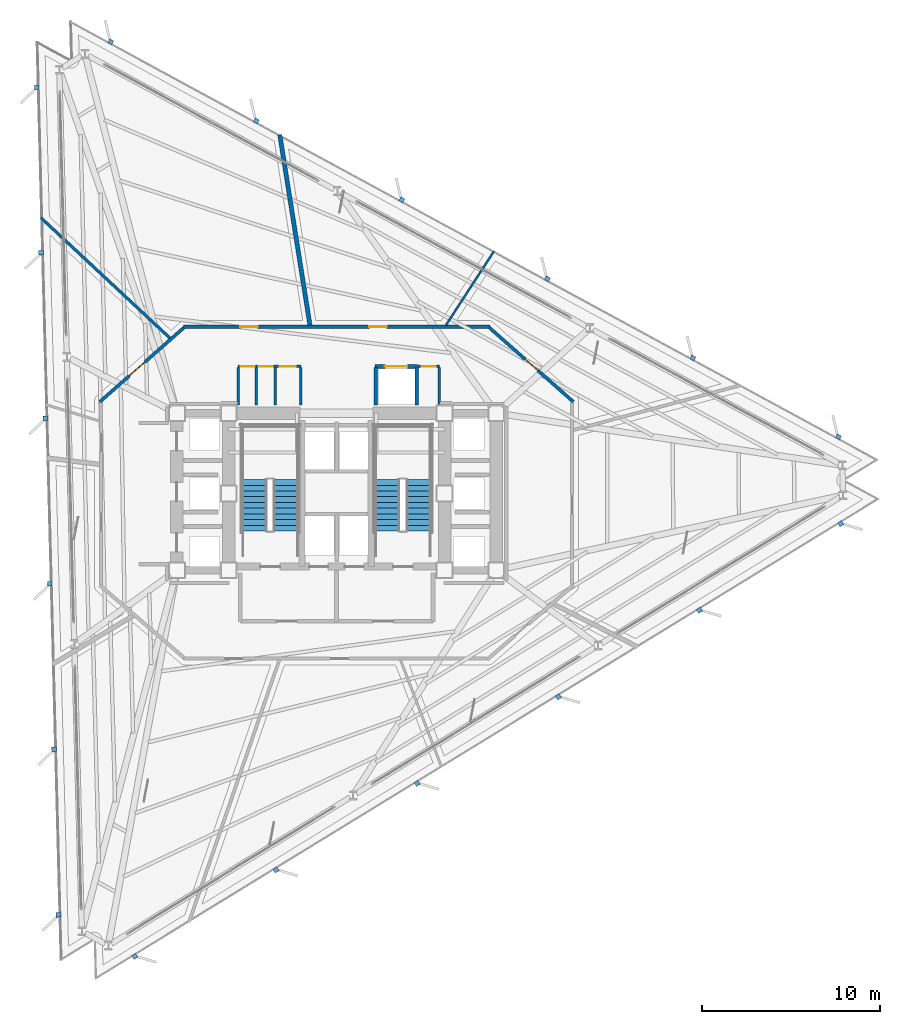
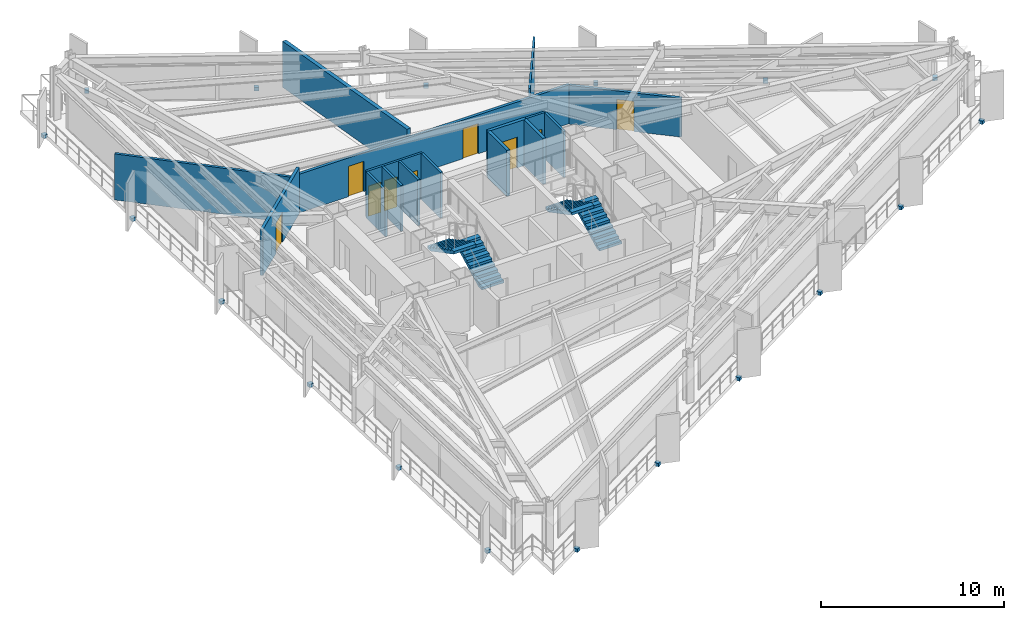
# One storey, part 9 of 14: 18 discrete accessories, 16 walls, 9 doors, 4 stair flights, 9 openings, 2 elements without a shape of their own.
"""IFC4 building model written with IfcOpenShell, lengths in metres."""

from ifc_helpers import new_model, si_unit, direction, frame, frame_2d, origin, origin_2d, place, context, subcontext, project, spatial, polyline, rectangle, outline, extrude, material, layer, layer_set, type_object, element, fill, aggregate, save


model = new_model("IFC4")

# Units and contexts
model_context = context("Model", 3, precision=1e-05, world=origin(), true_north=direction((0.0, 1.0)))
body_context = subcontext(model_context, "Body", "Model", "MODEL_VIEW")
ifc_project = project(units=[si_unit("LENGTHUNIT", "METRE"), si_unit("AREAUNIT", "SQUARE_METRE"), si_unit("VOLUMEUNIT", "CUBIC_METRE"), si_unit("PLANEANGLEUNIT", "RADIAN"), si_unit("MASSUNIT", "GRAM", prefix="KILO")], contexts=[model_context])

# Site, building, storey
site_placement = place(None, origin())
site = spatial("IfcSite", under=ifc_project, at=site_placement, CompositionType="ELEMENT")
building_placement = place(site_placement, origin())
building = spatial("IfcBuilding", under=site, at=building_placement, Name="Rocaltana Carrier Exchange", CompositionType="ELEMENT")
storey_placement = place(building_placement, frame((0.0, 0.0, 28.9599609375)))
storey = spatial("IfcBuildingStorey", under=building, at=storey_placement, Name="L09", CompositionType="ELEMENT", Elevation=28.9599609375)

# Wall
ifc_material_1 = material(Name="Double Acoustic Gypsum Partition", Category="gypsum")
ifc_layer_1 = layer(ifc_material_1, 0.159912109375)
ifc_layer_set_1 = layer_set([ifc_layer_1], Name="Double Acoustic Gypsum Partition")
wall_type_1 = type_object("IfcWallType", Name="Acoustic Studio Partition 160 EI60", PredefinedType="PARTITIONING", material=ifc_layer_set_1)
wall_1_placement = place(storey_placement, frame((-9.343017578125, 8.71240234375, 0.0), z_axis=(0.0, 0.0, 1.0), x_axis=(-0.731347028882, 0.682005515627, 0.0)))
element("IfcWall", 1, at=wall_1_placement, inside=storey, type_object=wall_type_1, Name="L09 Suite Divider Wall D8", PredefinedType="PARTITIONING", context=body_context, shape_type="SweptSolid", body=[
    extrude(rectangle(XDim=9.876220703125, YDim=0.159912109375, at=frame_2d((4.93798828125, 0.0))), origin(), (0.0, 0.0, 1.0), 3.072998046875),
])

# Wall, openings, doors
ifc_material_2 = material(Name="Gypsum & Steel Stud Partition", Category="steel")
ifc_layer_2 = layer(ifc_material_2, 0.179931640625)
ifc_layer_set_2 = layer_set([ifc_layer_2], Name="Gypsum & Steel Stud Partition")
wall_type_2 = type_object("IfcWallType", Name="Corridor Fire Partition 180 EI60", PredefinedType="PARTITIONING", material=ifc_layer_set_2)
wall_2_placement = place(storey_placement, frame((-8.590087890625, 9.35009765625, 0.0), z_axis=(0.0, 0.0, 1.0), x_axis=(1.0, 0.0, 0.0)))
wall_2 = element("IfcWall", 2, at=wall_2_placement, inside=storey, type_object=wall_type_2, Name="L09 Corridor Partition 1", PredefinedType="PARTITIONING", context=body_context, shape_type="SweptSolid", body=[
    extrude(rectangle(XDim=17.18017578125, YDim=0.179931640625, at=frame_2d((8.590087890625, 0.0))), origin(), (0.0, 0.0, 1.0), 2.587158203125),
])
opening_1_placement = place(wall_2_placement, frame((10.430419921875, 0.0, 0.0)))
opening_1 = element("IfcOpeningElement", 3, at=opening_1_placement, cuts=wall_2, Name="Opening D-RM098", PredefinedType="OPENING", context=body_context, shape_type="SweptSolid", body=[
    extrude(rectangle(XDim=0.9599609375, YDim=2.02001953125, at=frame_2d((0.47998046875, 1.010009765625))), frame((0.0, 0.099853515625, 0.0), z_axis=(0.0, -1.0, 0.0), x_axis=(1.0, 0.0, 0.0)), (0.0, 0.0, 1.0), 0.199951171875),
])
opening_2_placement = place(wall_2_placement, frame((3.197998046875, 0.0, 0.0)))
opening_2 = element("IfcOpeningElement", 4, at=opening_2_placement, cuts=wall_2, Name="Opening D-RM098", PredefinedType="OPENING", context=body_context, shape_type="SweptSolid", body=[
    extrude(rectangle(XDim=0.9599609375, YDim=2.02001953125, at=frame_2d((0.47998046875, 1.010009765625))), frame((0.0, 0.099853515625, 0.0), z_axis=(0.0, -1.0, 0.0), x_axis=(1.0, 0.0, 0.0)), (0.0, 0.0, 1.0), 0.199951171875),
])
ifc_material_3 = material(Name="Engineered Hardwood Timber", Category="wood")
door_type_1 = type_object("IfcDoorType", Name="Workspace Single Door 960x2020", OperationType="NOTDEFINED", PredefinedType="DOOR", material=ifc_material_3)
door_1_placement = place(opening_1_placement, origin())
door_1 = element("IfcDoor", 5, at=door_1_placement, inside=storey, type_object=door_type_1, Name="L09 Quiet Focus Lounge Entrance Door", OperationType="SINGLE_SWING_RIGHT", OverallHeight=2.02001953125, OverallWidth=0.9599609375, PredefinedType="DOOR", context=body_context, shape_type="SweptSolid", body=[
    extrude(rectangle(XDim=0.9599609375, YDim=2.02001953125, at=frame_2d((0.47998046875, 1.010009765625))), frame((0.0, 0.02490234375, 0.0), z_axis=(0.0, -1.0, 0.0), x_axis=(1.0, 0.0, 0.0)), (0.0, 0.0, 1.0), 0.050048828125),
])
fill(opening_1, door_1)
door_2_placement = place(opening_2_placement, origin())
door_2 = element("IfcDoor", 6, at=door_2_placement, inside=storey, type_object=door_type_1, Name="L09 Incident Briefing Room Entrance Door", OperationType="SINGLE_SWING_LEFT", OverallHeight=2.02001953125, OverallWidth=0.9599609375, PredefinedType="DOOR", context=body_context, shape_type="SweptSolid", body=[
    extrude(rectangle(XDim=0.9599609375, YDim=2.02001953125, at=frame_2d((0.47998046875, 1.010009765625))), frame((0.0, 0.02490234375, 0.0), z_axis=(0.0, -1.0, 0.0), x_axis=(1.0, 0.0, 0.0)), (0.0, 0.0, 1.0), 0.050048828125),
])
fill(opening_2, door_2)

# Wall, opening, door
wall_3_placement = place(storey_placement, frame((8.5673828125, 9.290283203125, 0.0), z_axis=(0.0, 0.0, 1.0), x_axis=(0.749626463267, -0.66186113768, 0.0)))
wall_3 = element("IfcWall", 7, at=wall_3_placement, inside=storey, type_object=wall_type_2, Name="L09 Corridor Partition 2", PredefinedType="PARTITIONING", context=body_context, shape_type="SweptSolid", body=[
    extrude(rectangle(XDim=6.27001953125, YDim=0.179931640625, at=frame_2d((3.135009765625, 0.0))), origin(), (0.0, 0.0, 1.0), 2.587158203125),
])
opening_3_placement = place(wall_3_placement, frame((2.655029296875, 0.0, 0.0)))
opening_3 = element("IfcOpeningElement", 8, at=opening_3_placement, cuts=wall_3, Name="Opening D-RM098", PredefinedType="OPENING", context=body_context, shape_type="SweptSolid", body=[
    extrude(rectangle(XDim=0.9599609375, YDim=2.02001953125, at=frame_2d((0.47998046875, 1.010009765625))), frame((0.0, 0.099853515625, 0.0), z_axis=(0.0, -1.0, 0.0), x_axis=(1.0, 0.0, 0.0)), (0.0, 0.0, 1.0), 0.199951171875),
])
door_3_placement = place(opening_3_placement, origin())
door_3 = element("IfcDoor", 9, at=door_3_placement, inside=storey, type_object=door_type_1, Name="L09 Peering Conference Room Entrance Door", OperationType="SINGLE_SWING_LEFT", OverallHeight=2.02001953125, OverallWidth=0.9599609375, PredefinedType="DOOR", context=body_context, shape_type="SweptSolid", body=[
    extrude(rectangle(XDim=0.9599609375, YDim=2.02001953125, at=frame_2d((0.47998046875, 1.010009765625))), frame((0.0, 0.02490234375, 0.0), z_axis=(0.0, -1.0, 0.0), x_axis=(1.0, 0.0, 0.0)), (0.0, 0.0, 1.0), 0.050048828125),
])
fill(opening_3, door_3)

wall_4_placement = place(storey_placement, frame((-13.267578125, 5.140380859375, 0.0), z_axis=(0.0, 0.0, 1.0), x_axis=(0.749626463267, 0.66186113768, 0.0)))
wall_4 = element("IfcWall", 10, at=wall_4_placement, inside=storey, type_object=wall_type_2, Name="L09 Corridor Partition 8", PredefinedType="PARTITIONING", context=body_context, shape_type="SweptSolid", body=[
    extrude(rectangle(XDim=6.27001953125, YDim=0.179931640625, at=frame_2d((3.135009765625, 0.0))), origin(), (0.0, 0.0, 1.0), 3.072998046875),
])
opening_4_placement = place(wall_4_placement, frame((2.193115234375, 0.0, 0.0)))
opening_4 = element("IfcOpeningElement", 11, at=opening_4_placement, cuts=wall_4, Name="Opening D-SU120", PredefinedType="OPENING", context=body_context, shape_type="SweptSolid", body=[
    extrude(rectangle(XDim=1.179931640625, YDim=2.02001953125, at=frame_2d((0.58984375, 1.010009765625))), frame((0.0, 0.099853515625, 0.0), z_axis=(0.0, -1.0, 0.0), x_axis=(1.0, 0.0, 0.0)), (0.0, 0.0, 1.0), 0.199951171875),
])
ifc_material_4 = material(Name="Engineered Hardwood Timber", Category="wood")
door_type_2 = type_object("IfcDoorType", Name="Suite Double Entrance Door 1180x2020", OperationType="NOTDEFINED", PredefinedType="DOOR", material=ifc_material_4)
door_4_placement = place(opening_4_placement, origin())
door_4 = element("IfcDoor", 12, at=door_4_placement, inside=storey, type_object=door_type_2, Name="L09 Carrier Peering Suite Entrance Door", OperationType="SINGLE_SWING_RIGHT", OverallHeight=2.02001953125, OverallWidth=1.179931640625, PredefinedType="DOOR", context=body_context, shape_type="SweptSolid", body=[
    extrude(rectangle(XDim=1.179931640625, YDim=2.02001953125, at=frame_2d((0.58984375, 1.010009765625))), frame((0.0, 0.02490234375, 0.0), z_axis=(0.0, -1.0, 0.0), x_axis=(1.0, 0.0, 0.0)), (0.0, 0.0, 1.0), 0.050048828125),
])
fill(opening_4, door_4)

# Walls
ifc_material_5 = material(Name="Aluminium 6063-T6 & Acoustic Glass", Category="aluminium")
ifc_layer_3 = layer(ifc_material_5, 0.114990234375)
ifc_layer_set_3 = layer_set([ifc_layer_3], Name="Aluminium 6063-T6 & Acoustic Glass")
wall_type_3 = type_object("IfcWallType", Name="Demountable Glazed Lab Partition 115", PredefinedType="MOVABLE", material=ifc_layer_set_3)
wall_5_placement = place(storey_placement, frame((6.123779296875, 9.429931640625, 0.0), z_axis=(0.0, 0.0, 1.0), x_axis=(0.544668366902, 0.838651518866, 0.0)))
element("IfcWall", 13, at=wall_5_placement, inside=storey, type_object=wall_type_3, Name="L09 Suite Divider Wall D6", PredefinedType="MOVABLE", context=body_context, shape_type="SweptSolid", body=[
    extrude(rectangle(XDim=4.9619140625, YDim=0.114990234375, at=frame_2d((2.48095703125, 0.0))), origin(), (0.0, 0.0, 1.0), 3.072998046875),
])
ifc_material_6 = material(Name="Acoustic Calcium Silicate Partition", Category="gypsum")
ifc_layer_4 = layer(ifc_material_6, 0.239990234375)
ifc_layer_set_4 = layer_set([ifc_layer_4], Name="Acoustic Calcium Silicate Partition")
wall_type_4 = type_object("IfcWallType", Name="Heavy Lab Partition 240 EI90", PredefinedType="PARTITIONING", material=ifc_layer_set_4)
wall_6_placement = place(storey_placement, frame((-1.49365234375, 9.429931640625, 0.0), z_axis=(0.0, 0.0, 1.0), x_axis=(-0.156418067091, 0.987690937636, 0.0)))
element("IfcWall", 14, at=wall_6_placement, inside=storey, type_object=wall_type_4, Name="L09 Suite Divider Wall D7", PredefinedType="PARTITIONING", context=body_context, shape_type="SweptSolid", body=[
    extrude(rectangle(XDim=10.81640625, YDim=0.239990234375, at=frame_2d((5.408203125, 0.0))), origin(), (0.0, 0.0, 1.0), 3.072998046875),
])
ifc_material_7 = material(Name="Reinforced Concrete Block C35/45", Category="concrete")
ifc_layer_5 = layer(ifc_material_7, 0.199951171875)
ifc_layer_set_5 = layer_set([ifc_layer_5], Name="Reinforced Concrete Block C35/45")
wall_type_5 = type_object("IfcWallType", Name="Lift Hoistway Enclosure Wall 200 EI120", PredefinedType="PARTITIONING", material=ifc_layer_set_5)
for number, where, z_axis, x_axis, name in (
    (15, (2.199951171875, 4.949951171875, 0.0), (0.0, 0.0, 1.0), (0.0, 1.0, 0.0), "L09 Goods Lift West Wall"),
    (16, (4.47998046875, 4.949951171875, 0.0), (0.0, 0.0, 1.0), (0.0, 1.0, 0.0), "L09 Goods Lift East Wall"),
):
    element("IfcWall", number, at=place(storey_placement, frame(where, z_axis=z_axis, x_axis=x_axis)), inside=storey, type_object=wall_type_5, Name=name, PredefinedType="PARTITIONING", context=body_context, shape_type="SweptSolid", body=[
        extrude(rectangle(XDim=2.10009765625, YDim=0.199951171875, at=frame_2d((1.050048828125, 0.0))), origin(), (0.0, 0.0, 1.0), 3.072998046875),
    ])

# Wall, opening, door
wall_7_placement = place(storey_placement, frame((2.14990234375, 7.1201171875, 0.0), z_axis=(0.0, 0.0, 1.0), x_axis=(1.0, 0.0, 0.0)))
wall_7 = element("IfcWall", 17, at=wall_7_placement, inside=storey, type_object=wall_type_5, Name="L09 Goods Lift Front Wall", PredefinedType="PARTITIONING", context=body_context, shape_type="SweptSolid", body=[
    extrude(rectangle(XDim=2.380126953125, YDim=0.199951171875, at=frame_2d((1.18994140625, 0.0))), origin(), (0.0, 0.0, 1.0), 3.072998046875),
])
opening_5_placement = place(wall_7_placement, frame((0.56005859375, 0.0, 0.0)))
opening_5 = element("IfcOpeningElement", 18, at=opening_5_placement, cuts=wall_7, Name="Opening LD-130", PredefinedType="OPENING", context=body_context, shape_type="SweptSolid", body=[
    extrude(rectangle(XDim=1.260009765625, YDim=2.06005859375, at=frame_2d((0.6298828125, 1.030029296875))), frame((0.0, 0.10986328125, 0.0), z_axis=(0.0, -1.0, 0.0), x_axis=(1.0, 0.0, 0.0)), (0.0, 0.0, 1.0), 0.219970703125),
])
ifc_material_8 = material(Name="Brushed Stainless Sliding Door Leaf", Category="steel")
door_type_3 = type_object("IfcDoorType", Name="Goods Lift Landing Sliding Door 1260x2060", OperationType="NOTDEFINED", PredefinedType="DOOR", material=ifc_material_8)
door_5_placement = place(opening_5_placement, origin())
door_5 = element("IfcDoor", 19, at=door_5_placement, inside=storey, type_object=door_type_3, Name="L09 Goods Lift GL-1 Landing Door", OperationType="SLIDING_TO_LEFT", OverallHeight=2.06005859375, OverallWidth=1.260009765625, PredefinedType="DOOR", context=body_context, shape_type="SweptSolid", body=[
    extrude(rectangle(XDim=1.260009765625, YDim=2.06005859375, at=frame_2d((0.6298828125, 1.030029296875))), frame((0.0, 0.02490234375, 0.0), z_axis=(0.0, -1.0, 0.0), x_axis=(1.0, 0.0, 0.0)), (0.0, 0.0, 1.0), 0.050048828125),
])
fill(opening_5, door_5)

# Walls
ifc_material_9 = material(Name="Moisture-Resistant Masonry C30/37", Category="masonry")
ifc_layer_6 = layer(ifc_material_9, 0.139892578125)
ifc_layer_set_6 = layer_set([ifc_layer_6], Name="Moisture-Resistant Masonry C30/37")
wall_type_6 = type_object("IfcWallType", Name="Wet-Area Sanitary Partition 140", PredefinedType="PARTITIONING", material=ifc_layer_set_6)
for number, where, z_axis, x_axis, name in (
    (20, (-5.5, 4.949951171875, 0.0), (0.0, 0.0, 1.0), (0.0, 1.0, 0.0), "L09 Sanitary West Wall"),
    (21, (-4.5, 4.949951171875, 0.0), (0.0, 0.0, 1.0), (0.0, 1.0, 0.0), "L09 Sanitary Divider 1"),
    (22, (-3.449951171875, 4.949951171875, 0.0), (0.0, 0.0, 1.0), (0.0, 1.0, 0.0), "L09 Sanitary Divider 2"),
    (23, (-2.02001953125, 4.949951171875, 0.0), (0.0, 0.0, 1.0), (0.0, 1.0, 0.0), "L09 Sanitary East Wall"),
):
    element("IfcWall", number, at=place(storey_placement, frame(where, z_axis=z_axis, x_axis=x_axis)), inside=storey, type_object=wall_type_6, Name=name, PredefinedType="PARTITIONING", context=body_context, shape_type="SweptSolid", body=[
        extrude(rectangle(XDim=2.10009765625, YDim=0.139892578125, at=frame_2d((1.050048828125, 0.0))), origin(), (0.0, 0.0, 1.0), 3.072998046875),
    ])

# Wall, openings, doors
wall_8_placement = place(storey_placement, frame((-5.52001953125, 7.1201171875, 0.0), z_axis=(0.0, 0.0, 1.0), x_axis=(1.0, 0.0, 0.0)))
wall_8 = element("IfcWall", 24, at=wall_8_placement, inside=storey, type_object=wall_type_6, Name="L09 Sanitary North Wall", PredefinedType="PARTITIONING", context=body_context, shape_type="SweptSolid", body=[
    extrude(rectangle(XDim=3.52001953125, YDim=0.139892578125, at=frame_2d((1.760009765625, 0.0))), origin(), (0.0, 0.0, 1.0), 3.072998046875),
])
opening_6_placement = place(wall_8_placement, frame((0.139892578125, 0.0, 0.0)))
opening_6 = element("IfcOpeningElement", 25, at=opening_6_placement, cuts=wall_8, Name="Opening D-RS082", PredefinedType="OPENING", context=body_context, shape_type="SweptSolid", body=[
    extrude(rectangle(XDim=0.780029296875, YDim=2.010009765625, at=frame_2d((0.39013671875, 1.0048828125))), frame((0.0, 0.079833984375, 0.0), z_axis=(0.0, -1.0, 0.0), x_axis=(1.0, 0.0, 0.0)), (0.0, 0.0, 1.0), 0.159912109375),
])
opening_7_placement = place(wall_8_placement, frame((1.14990234375, 0.0, 0.0)))
opening_7 = element("IfcOpeningElement", 26, at=opening_7_placement, cuts=wall_8, Name="Opening D-RS082", PredefinedType="OPENING", context=body_context, shape_type="SweptSolid", body=[
    extrude(rectangle(XDim=0.780029296875, YDim=2.010009765625, at=frame_2d((0.39013671875, 1.0048828125))), frame((0.0, 0.079833984375, 0.0), z_axis=(0.0, -1.0, 0.0), x_axis=(1.0, 0.0, 0.0)), (0.0, 0.0, 1.0), 0.159912109375),
])
opening_8_placement = place(wall_8_placement, frame((2.340087890625, 0.0, 0.0)))
opening_8 = element("IfcOpeningElement", 27, at=opening_8_placement, cuts=wall_8, Name="Opening D-WC090", PredefinedType="OPENING", context=body_context, shape_type="SweptSolid", body=[
    extrude(rectangle(XDim=0.8798828125, YDim=2.02001953125, at=frame_2d((0.43994140625, 1.010009765625))), frame((0.0, 0.079833984375, 0.0), z_axis=(0.0, -1.0, 0.0), x_axis=(1.0, 0.0, 0.0)), (0.0, 0.0, 1.0), 0.159912109375),
])
ifc_material_10 = material(Name="High-Pressure Laminate Timber", Category="wood")
door_type_4 = type_object("IfcDoorType", Name="Restroom & Accessible WC Door 880x2020", OperationType="NOTDEFINED", PredefinedType="DOOR", material=ifc_material_10)
door_6_placement = place(opening_8_placement, origin())
door_6 = element("IfcDoor", 28, at=door_6_placement, inside=storey, type_object=door_type_4, Name="L09 Accessible Toilet Door", OperationType="SINGLE_SWING_RIGHT", OverallHeight=2.02001953125, OverallWidth=0.8798828125, PredefinedType="DOOR", context=body_context, shape_type="SweptSolid", body=[
    extrude(rectangle(XDim=0.8798828125, YDim=2.02001953125, at=frame_2d((0.43994140625, 1.010009765625))), frame((0.0, 0.02490234375, 0.0), z_axis=(0.0, -1.0, 0.0), x_axis=(1.0, 0.0, 0.0)), (0.0, 0.0, 1.0), 0.050048828125),
])
fill(opening_8, door_6)
ifc_material_11 = material(Name="Hollow Metal Access Door Leaf", Category="steel")
door_type_5 = type_object("IfcDoorType", Name="Riser & Service Closet Door 780x2010", OperationType="NOTDEFINED", PredefinedType="DOOR", material=ifc_material_11)
door_7_placement = place(opening_6_placement, origin())
door_7 = element("IfcDoor", 29, at=door_7_placement, inside=storey, type_object=door_type_5, Name="L09 Cleaner Store Door", OperationType="SINGLE_SWING_RIGHT", OverallHeight=2.010009765625, OverallWidth=0.780029296875, PredefinedType="DOOR", context=body_context, shape_type="SweptSolid", body=[
    extrude(rectangle(XDim=0.780029296875, YDim=2.010009765625, at=frame_2d((0.39013671875, 1.0048828125))), frame((0.0, 0.02490234375, 0.0), z_axis=(0.0, -1.0, 0.0), x_axis=(1.0, 0.0, 0.0)), (0.0, 0.0, 1.0), 0.050048828125),
])
fill(opening_6, door_7)
door_8_placement = place(opening_7_placement, origin())
door_8 = element("IfcDoor", 30, at=door_8_placement, inside=storey, type_object=door_type_5, Name="L09 Staff Restroom Door", OperationType="SINGLE_SWING_LEFT", OverallHeight=2.010009765625, OverallWidth=0.780029296875, PredefinedType="DOOR", context=body_context, shape_type="SweptSolid", body=[
    extrude(rectangle(XDim=0.780029296875, YDim=2.010009765625, at=frame_2d((0.39013671875, 1.0048828125))), frame((0.0, 0.02490234375, 0.0), z_axis=(0.0, -1.0, 0.0), x_axis=(1.0, 0.0, 0.0)), (0.0, 0.0, 1.0), 0.050048828125),
])
fill(opening_7, door_8)

# Wall
wall_9_placement = place(storey_placement, frame((5.760009765625, 4.949951171875, 0.0), z_axis=(0.0, 0.0, 1.0), x_axis=(0.0, 1.0, 0.0)))
element("IfcWall", 31, at=wall_9_placement, inside=storey, type_object=wall_type_6, Name="L09 Riser East Wall", PredefinedType="PARTITIONING", context=body_context, shape_type="SweptSolid", body=[
    extrude(rectangle(XDim=2.10009765625, YDim=0.139892578125, at=frame_2d((1.050048828125, 0.0))), origin(), (0.0, 0.0, 1.0), 3.072998046875),
])

# Wall, opening, door
wall_10_placement = place(storey_placement, frame((4.56005859375, 7.1201171875, 0.0), z_axis=(0.0, 0.0, 1.0), x_axis=(1.0, 0.0, 0.0)))
wall_10 = element("IfcWall", 32, at=wall_10_placement, inside=storey, type_object=wall_type_6, Name="L09 Riser North Wall", PredefinedType="PARTITIONING", context=body_context, shape_type="SweptSolid", body=[
    extrude(rectangle(XDim=1.199951171875, YDim=0.139892578125, at=frame_2d((0.60009765625, 0.0))), origin(), (0.0, 0.0, 1.0), 3.072998046875),
])
opening_9_placement = place(wall_10_placement, frame((0.2099609375, 0.0, 0.0)))
opening_9 = element("IfcOpeningElement", 33, at=opening_9_placement, cuts=wall_10, Name="Opening D-RS082", PredefinedType="OPENING", context=body_context, shape_type="SweptSolid", body=[
    extrude(rectangle(XDim=0.780029296875, YDim=2.010009765625, at=frame_2d((0.39013671875, 1.0048828125))), frame((0.0, 0.079833984375, 0.0), z_axis=(0.0, -1.0, 0.0), x_axis=(1.0, 0.0, 0.0)), (0.0, 0.0, 1.0), 0.159912109375),
])
door_9_placement = place(opening_9_placement, origin())
door_9 = element("IfcDoor", 34, at=door_9_placement, inside=storey, type_object=door_type_5, Name="L09 Signal Riser Closet Door", OperationType="SINGLE_SWING_LEFT", OverallHeight=2.010009765625, OverallWidth=0.780029296875, PredefinedType="DOOR", context=body_context, shape_type="SweptSolid", body=[
    extrude(rectangle(XDim=0.780029296875, YDim=2.010009765625, at=frame_2d((0.39013671875, 1.0048828125))), frame((0.0, 0.02490234375, 0.0), z_axis=(0.0, -1.0, 0.0), x_axis=(1.0, 0.0, 0.0)), (0.0, 0.0, 1.0), 0.050048828125),
])
fill(opening_9, door_9)

# Stair, stair flights
ifc_material_12 = material(Name="Precast concrete C45/55", Category="concrete")
stair_type = type_object("IfcStairType", Name="Standard Dog-Leg Stair 160", PredefinedType="HALF_TURN_STAIR", material=ifc_material_12)
stair_1_placement = place(storey_placement, origin())
stair_1 = element("IfcStair", 35, at=stair_1_placement, inside=storey, type_object=stair_type, Name="L09 Core West Exit Stair ST-1", PredefinedType="HALF_TURN_STAIR")
ifc_material_13 = material(Name="Precast concrete C45/55", Category="concrete")
stair_flight_type = type_object("IfcStairFlightType", Name="Precast Stair Flight 160", PredefinedType="STRAIGHT", material=ifc_material_13)
stair_flight_1_placement = place(storey_placement, frame((-2.840087890625, -2.10009765625, 0.0), z_axis=(0.0, 0.0, 1.0), x_axis=(0.0, 1.0, 0.0)))
stair_flight_1 = element("IfcStairFlight", 36, at=stair_flight_1_placement, type_object=stair_flight_type, Name="ST-1 flight 1", NumberOfRisers=10, NumberOfTreads=9, PredefinedType="STRAIGHT", RiserHeight=0.168, TreadLength=0.32, context=body_context, shape_type="SweptSolid", body=[
    extrude(outline(polyline([(0.0, 0.0), (0.0, 0.16796875), (0.320068359375, 0.16796875), (0.320068359375, 0.3359375), (0.639892578125, 0.3359375), (0.639892578125, 0.50390625), (0.9599609375, 0.50390625), (0.9599609375, 0.672119140625), (1.280029296875, 0.672119140625), (1.280029296875, 0.840087890625), (1.60009765625, 0.840087890625), (1.60009765625, 1.008056640625), (1.919921875, 1.008056640625), (1.919921875, 1.176025390625), (2.239990234375, 1.176025390625), (2.239990234375, 1.343994140625), (2.56005859375, 1.343994140625), (2.56005859375, 1.511962890625), (2.8798828125, 1.511962890625), (2.8798828125, 1.679931640625), (2.8798828125, 1.331298828125), (0.343994140625, 0.0), (0.0, 0.0)])), frame((0.0, 0.699951171875, 0.0), z_axis=(0.0, -1.0, 0.0), x_axis=(1.0, 0.0, 0.0)), (0.0, 0.0, 1.0), 1.39990234375),
])
stair_flight_2_placement = place(storey_placement, frame((-4.60009765625, 0.780029296875, 1.679931640625), z_axis=(0.0, 0.0, 1.0), x_axis=(0.0, -1.0, 0.0)))
stair_flight_2 = element("IfcStairFlight", 37, at=stair_flight_2_placement, type_object=stair_flight_type, Name="ST-1 flight 2", NumberOfRisers=10, NumberOfTreads=9, PredefinedType="STRAIGHT", RiserHeight=0.168, TreadLength=0.32, context=body_context, shape_type="SweptSolid", body=[
    extrude(outline(polyline([(0.0, 0.0), (0.0, 0.16796875), (0.320068359375, 0.16796875), (0.320068359375, 0.3359375), (0.639892578125, 0.3359375), (0.639892578125, 0.50390625), (0.9599609375, 0.50390625), (0.9599609375, 0.672119140625), (1.280029296875, 0.672119140625), (1.280029296875, 0.840087890625), (1.60009765625, 0.840087890625), (1.60009765625, 1.008056640625), (1.919921875, 1.008056640625), (1.919921875, 1.176025390625), (2.239990234375, 1.176025390625), (2.239990234375, 1.343994140625), (2.56005859375, 1.343994140625), (2.56005859375, 1.511962890625), (2.8798828125, 1.511962890625), (2.8798828125, 1.679931640625), (2.8798828125, 1.331298828125), (0.343994140625, 0.0), (0.0, 0.0)])), frame((0.0, 0.699951171875, 0.0), z_axis=(0.0, -1.0, 0.0), x_axis=(1.0, 0.0, 0.0)), (0.0, 0.0, 1.0), 1.39990234375),
])
aggregate(stair_1, [stair_flight_1, stair_flight_2])

stair_2_placement = place(storey_placement, origin())
stair_2 = element("IfcStair", 38, at=stair_2_placement, inside=storey, type_object=stair_type, Name="L09 Core East Exit Stair ST-2", PredefinedType="HALF_TURN_STAIR")
stair_flight_3_placement = place(storey_placement, frame((4.60009765625, -2.10009765625, 0.0), z_axis=(0.0, 0.0, 1.0), x_axis=(0.0, 1.0, 0.0)))
stair_flight_3 = element("IfcStairFlight", 39, at=stair_flight_3_placement, type_object=stair_flight_type, Name="ST-2 flight 1", NumberOfRisers=10, NumberOfTreads=9, PredefinedType="STRAIGHT", RiserHeight=0.168, TreadLength=0.32, context=body_context, shape_type="SweptSolid", body=[
    extrude(outline(polyline([(0.0, 0.0), (0.0, 0.16796875), (0.320068359375, 0.16796875), (0.320068359375, 0.3359375), (0.639892578125, 0.3359375), (0.639892578125, 0.50390625), (0.9599609375, 0.50390625), (0.9599609375, 0.672119140625), (1.280029296875, 0.672119140625), (1.280029296875, 0.840087890625), (1.60009765625, 0.840087890625), (1.60009765625, 1.008056640625), (1.919921875, 1.008056640625), (1.919921875, 1.176025390625), (2.239990234375, 1.176025390625), (2.239990234375, 1.343994140625), (2.56005859375, 1.343994140625), (2.56005859375, 1.511962890625), (2.8798828125, 1.511962890625), (2.8798828125, 1.679931640625), (2.8798828125, 1.331298828125), (0.343994140625, 0.0), (0.0, 0.0)])), frame((0.0, 0.699951171875, 0.0), z_axis=(0.0, -1.0, 0.0), x_axis=(1.0, 0.0, 0.0)), (0.0, 0.0, 1.0), 1.39990234375),
])
stair_flight_4_placement = place(storey_placement, frame((2.840087890625, 0.780029296875, 1.679931640625), z_axis=(0.0, 0.0, 1.0), x_axis=(0.0, -1.0, 0.0)))
stair_flight_4 = element("IfcStairFlight", 40, at=stair_flight_4_placement, type_object=stair_flight_type, Name="ST-2 flight 2", NumberOfRisers=10, NumberOfTreads=9, PredefinedType="STRAIGHT", RiserHeight=0.168, TreadLength=0.32, context=body_context, shape_type="SweptSolid", body=[
    extrude(outline(polyline([(0.0, 0.0), (0.0, 0.16796875), (0.320068359375, 0.16796875), (0.320068359375, 0.3359375), (0.639892578125, 0.3359375), (0.639892578125, 0.50390625), (0.9599609375, 0.50390625), (0.9599609375, 0.672119140625), (1.280029296875, 0.672119140625), (1.280029296875, 0.840087890625), (1.60009765625, 0.840087890625), (1.60009765625, 1.008056640625), (1.919921875, 1.008056640625), (1.919921875, 1.176025390625), (2.239990234375, 1.176025390625), (2.239990234375, 1.343994140625), (2.56005859375, 1.343994140625), (2.56005859375, 1.511962890625), (2.8798828125, 1.511962890625), (2.8798828125, 1.679931640625), (2.8798828125, 1.331298828125), (0.343994140625, 0.0), (0.0, 0.0)])), frame((0.0, 0.699951171875, 0.0), z_axis=(0.0, -1.0, 0.0), x_axis=(1.0, 0.0, 0.0)), (0.0, 0.0, 1.0), 1.39990234375),
])
aggregate(stair_2, [stair_flight_3, stair_flight_4])

# Discrete accessories
ifc_material_14 = material(Name="Brushed Architectural Stainless Metal", Category="steel")
ifc_layer_7 = layer(ifc_material_14, 0.219970703125)
ifc_layer_set_7 = layer_set([ifc_layer_7], Name="Brushed Architectural Stainless Metal")
discrete_accessory_type = type_object("IfcDiscreteAccessoryType", Name="Stainless Fin Slab-Edge Bracket 260x260x220", PredefinedType="BRACKET", material=ifc_layer_set_7)
for number, where, z_axis, x_axis, name in (
    (41, (28.121337890625, 3.171875, -0.2099609375), (0.0, 0.0, 1.0), (-0.878817112662, 0.47715876026, 0.0), "L09 Sandstone Fin Edge Bracket F1-01"),
    (42, (19.9658203125, 7.599853515625, -0.2099609375), (0.0, 0.0, 1.0), (-0.878817112662, 0.47715876026, 0.0), "L09 Sandstone Fin Edge Bracket F1-02"),
    (43, (11.810546875, 12.02783203125, -0.2099609375), (0.0, 0.0, 1.0), (-0.878817112662, 0.47715876026, 0.0), "L09 Sandstone Fin Edge Bracket F1-03"),
    (44, (3.655029296875, 16.4560546875, -0.2099609375), (0.0, 0.0, 1.0), (-0.878817112662, 0.47715876026, 0.0), "L09 Sandstone Fin Edge Bracket F1-04"),
    (45, (-4.50048828125, 20.884033203125, -0.2099609375), (0.0, 0.0, 1.0), (-0.878817112662, 0.47715876026, 0.0), "L09 Sandstone Fin Edge Bracket F1-05"),
    (46, (-12.65576171875, 25.31201171875, -0.2099609375), (0.0, 0.0, 1.0), (-0.878817112662, 0.47715876026, 0.0), "L09 Sandstone Fin Edge Bracket F1-06"),
    (47, (-16.8076171875, 22.767822265625, -0.2099609375), (0.0, 0.0, 1.0), (0.026176948308, -0.999657324976, 0.0), "L09 Sandstone Fin Edge Bracket F2-01"),
    (48, (-16.564697265625, 13.490966796875, -0.2099609375), (0.0, 0.0, 1.0), (0.026176948308, -0.999657324976, 0.0), "L09 Sandstone Fin Edge Bracket F2-02"),
    (49, (-16.32177734375, 4.214111328125, -0.2099609375), (0.0, 0.0, 1.0), (0.026176948308, -0.999657324976, 0.0), "L09 Sandstone Fin Edge Bracket F2-03"),
    (50, (-16.078857421875, -5.0625, -0.2099609375), (0.0, 0.0, 1.0), (0.026176948308, -0.999657324976, 0.0), "L09 Sandstone Fin Edge Bracket F2-04"),
    (51, (-15.8359375, -14.33935546875, -0.2099609375), (0.0, 0.0, 1.0), (0.026176948308, -0.999657324976, 0.0), "L09 Sandstone Fin Edge Bracket F2-05"),
    (52, (-15.593017578125, -23.6162109375, -0.2099609375), (0.0, 0.0, 1.0), (0.026176948308, -0.999657324976, 0.0), "L09 Sandstone Fin Edge Bracket F2-06"),
    (53, (-11.313720703125, -25.939697265625, -0.2099609375), (0.0, 0.0, 1.0), (0.852640164354, 0.522498564716, 0.0), "L09 Sandstone Fin Edge Bracket F3-01"),
    (54, (-3.401123046875, -21.0908203125, -0.2099609375), (0.0, 0.0, 1.0), (0.852640164354, 0.522498564716, 0.0), "L09 Sandstone Fin Edge Bracket F3-02"),
    (55, (4.51123046875, -16.2421875, -0.2099609375), (0.0, 0.0, 1.0), (0.852640164354, 0.522498564716, 0.0), "L09 Sandstone Fin Edge Bracket F3-03"),
    (56, (12.423828125, -11.393310546875, -0.2099609375), (0.0, 0.0, 1.0), (0.852640164354, 0.522498564716, 0.0), "L09 Sandstone Fin Edge Bracket F3-04"),
    (57, (20.336181640625, -6.54443359375, -0.2099609375), (0.0, 0.0, 1.0), (0.852640164354, 0.522498564716, 0.0), "L09 Sandstone Fin Edge Bracket F3-05"),
    (58, (28.248779296875, -1.69580078125, -0.2099609375), (0.0, 0.0, 1.0), (0.852640164354, 0.522498564716, 0.0), "L09 Sandstone Fin Edge Bracket F3-06"),
):
    element("IfcDiscreteAccessory", number, at=place(storey_placement, frame(where, z_axis=z_axis, x_axis=x_axis)), inside=storey, type_object=discrete_accessory_type, Name=name, PredefinedType="BRACKET", context=body_context, shape_type="SweptSolid", body=[
        extrude(rectangle(XDim=0.260009765625, YDim=0.260009765625, at=origin_2d()), origin(), (0.0, 0.0, 1.0), 0.219970703125),
    ])

save(model, "model.ifc")
